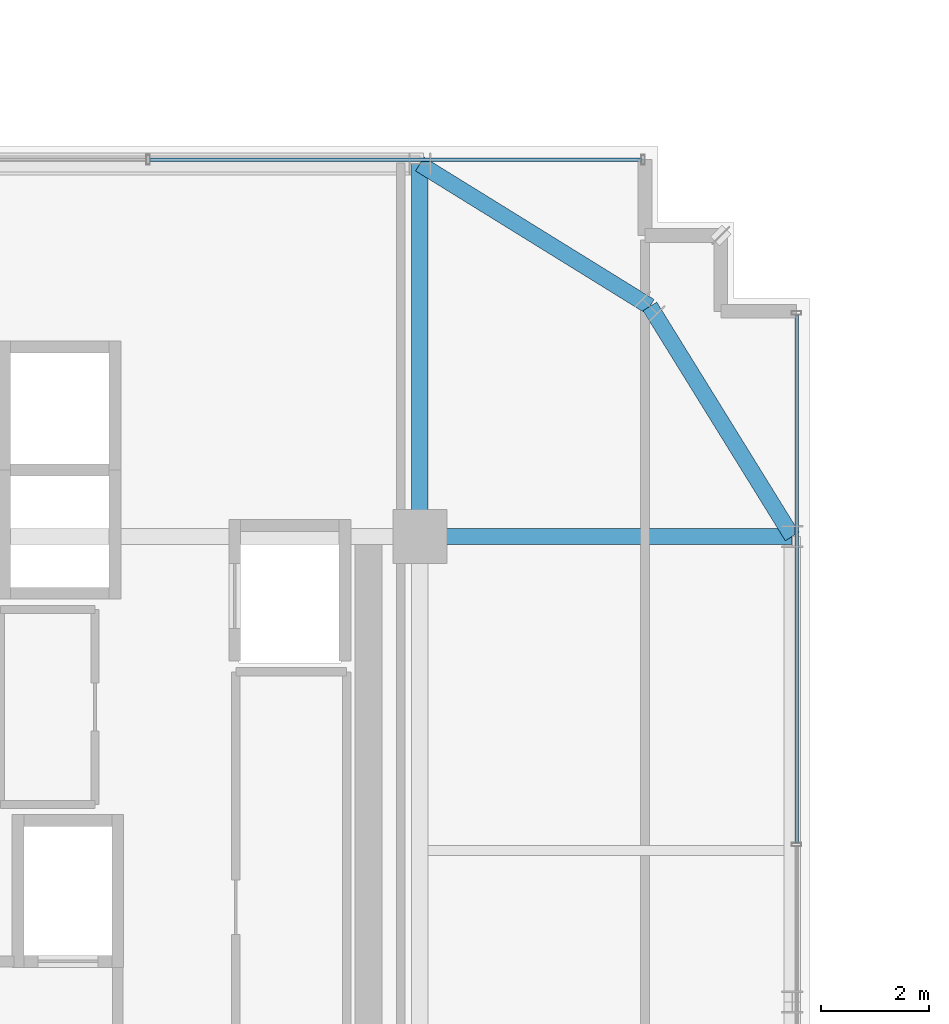
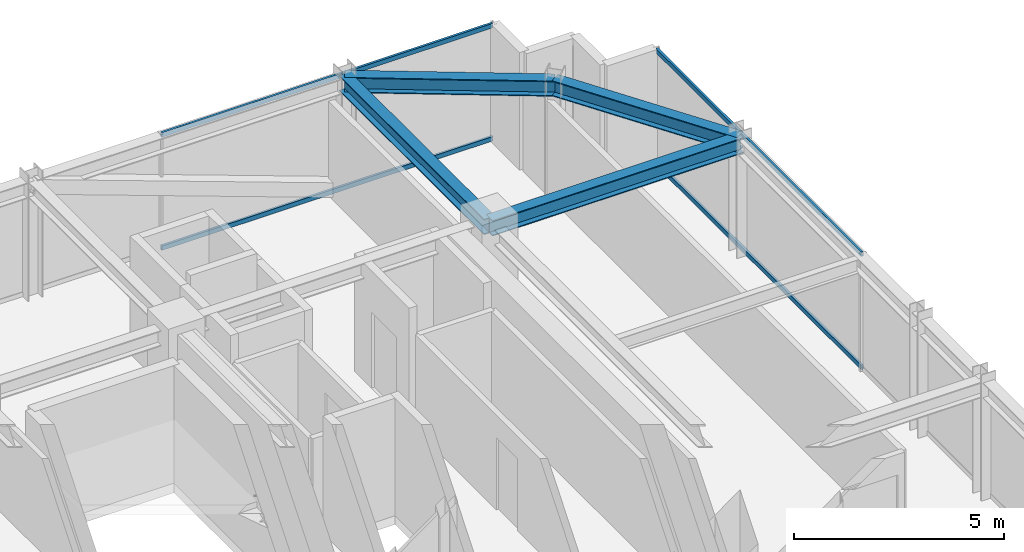
# One storey, part 27 of 42: 4 beams, 4 members, 2 elements without a shape of their own.
"""IFC4 building model written with IfcOpenShell, lengths in metres."""

from ifc_helpers import new_model, si_unit, direction, frame, origin, origin_2d, place, context, subcontext, project, spatial, hollow_rectangle, i_section, extrude, source, transform, mapped, material, material_profile, profile_set, type_object, element, aggregate, save


model = new_model("IFC4")

# Units and contexts
model_context = context("Model", 3, precision=1e-05, world=origin(), true_north=direction((0.0, 1.0)))
body_context = subcontext(model_context, "Body", "Model", "MODEL_VIEW")
ifc_project = project(units=[si_unit("LENGTHUNIT", "METRE"), si_unit("AREAUNIT", "SQUARE_METRE"), si_unit("VOLUMEUNIT", "CUBIC_METRE"), si_unit("PLANEANGLEUNIT", "RADIAN"), si_unit("MASSUNIT", "GRAM", prefix="KILO")], contexts=[model_context])

# Site, building, storey
site_placement = place(None, origin())
site = spatial("IfcSite", under=ifc_project, at=site_placement, CompositionType="ELEMENT")
building_placement = place(site_placement, origin())
building = spatial("IfcBuilding", under=site, at=building_placement, Name="Nahalor Promenade Grand Hotel", CompositionType="ELEMENT")
storey_placement = place(building_placement, frame((0.0, 0.0, 249.300048828125)))
storey = spatial("IfcBuildingStorey", under=building, at=storey_placement, Name="L64", CompositionType="ELEMENT", Elevation=249.300048828125)

# Beams
ifc_material_1 = material(Name="Steel S355JR", Category="steel")
ifc_material_profile_1 = material_profile(ifc_material_1, i_section(OverallWidth=0.3, OverallDepth=0.45, WebThickness=0.014, FlangeThickness=0.026, at=origin_2d()), Name="HEB 450")
ifc_profile_set_1 = profile_set([ifc_material_profile_1], Name="Steel S355JR")
beam_type_1 = type_object("IfcBeamType", Name="Beam-Spandrel-HEB450", PredefinedType="SPANDREL", material=ifc_profile_set_1)
shared_shape_1 = source(origin(), body_context, "Body", "SweptSolid", [
    extrude(i_section(OverallWidth=0.3, OverallDepth=0.45, WebThickness=0.014, FlangeThickness=0.026, at=origin_2d()), origin(), (0.0, 0.0, 1.0), 4.997802734375),
])
for number, where, z_axis, x_axis, name in (
    (1, (17.0, 23.8798828125, 3.18505859375), (0.850360908404, -0.526199891161, 0.0), (0.526199891161, 0.850360908404, 0.0), "BM-L64-SPC-NE-1"),
    (2, (21.25, 21.25, 3.18505859375), (0.526199891161, -0.850360908404, 0.0), (0.850360908404, 0.526199891161, 0.0), "BM-L64-SPC-NE-2"),
):
    element("IfcBeam", number, at=place(storey_placement, frame(where, z_axis=z_axis, x_axis=x_axis)), inside=storey, type_object=beam_type_1, Name=name, PredefinedType="SPANDREL", context=body_context, shape_type="MappedRepresentation", body=[
        mapped(shared_shape_1, transform((0.0, 0.0, 0.0), scale=1.0)),
    ])
ifc_material_profile_2 = material_profile(ifc_material_1, i_section(OverallWidth=0.3, OverallDepth=0.45, WebThickness=0.014, FlangeThickness=0.026, at=origin_2d()), Name="HEB 450")
ifc_profile_set_2 = profile_set([ifc_material_profile_2], Name="Steel S355JR")
beam_type_2 = type_object("IfcBeamType", Name="Beam-Girder-HEB450", PredefinedType="BEAM", material=ifc_profile_set_2)
shared_shape_2 = source(origin(), body_context, "Body", "SweptSolid", [
    extrude(i_section(OverallWidth=0.3, OverallDepth=0.45, WebThickness=0.014, FlangeThickness=0.026, at=origin_2d()), origin(), (0.0, 0.0, 1.0), 6.8798828125),
])
for number, where, z_axis, x_axis, name in (
    (3, (17.0, 17.0, 3.18505859375), (1.0, 0.0, 0.0), (0.0, 1.0, 0.0), "BM-L64-GX-3-6"),
    (4, (17.0, 17.0, 3.18505859375), (0.0, 1.0, 0.0), (-1.0, 0.0, 0.0), "BM-L64-GY-5-4"),
):
    element("IfcBeam", number, at=place(storey_placement, frame(where, z_axis=z_axis, x_axis=x_axis)), inside=storey, type_object=beam_type_2, Name=name, PredefinedType="BEAM", context=body_context, shape_type="MappedRepresentation", body=[
        mapped(shared_shape_2, transform((0.0, 0.0, 0.0), scale=1.0)),
    ])

# Curtain wall, members
ifc_material_2 = material(Name="Anodised Bronze Aluminium EN AW-6063 T6", Category="aluminium")
curtain_wall_type = type_object("IfcCurtainWallType", Name="CW2 Typical Hotel Flush Bronze Unitised Curtain Wall", PredefinedType="USERDEFINED", material=ifc_material_2)
curtain_wall_1_placement = place(storey_placement, origin())
curtain_wall_1 = element("IfcCurtainWall", 5, at=curtain_wall_1_placement, inside=storey, type_object=curtain_wall_type, Name="L64 Curtain Wall CW-L64-N-3", ObjectType="UNITISED_CURTAIN_WALL", PredefinedType="USERDEFINED")
ifc_material_profile_3 = material_profile(ifc_material_2, hollow_rectangle(XDim=0.065, YDim=0.13, WallThickness=0.004, at=origin_2d()), Name="CWT 65x130x4")
ifc_profile_set_3 = profile_set([ifc_material_profile_3], Name="Anodised Bronze Aluminium EN AW-6063 T6")
member_type = type_object("IfcMemberType", Name="CWT2 Typical Bronze Transom 65x130", PredefinedType="USERDEFINED", material=ifc_profile_set_3)
shared_shape_3 = source(origin(), body_context, "Body", "SweptSolid", [
    extrude(hollow_rectangle(XDim=0.065, YDim=0.13, WallThickness=0.004, at=origin_2d()), origin(), (0.0, 0.0, 1.0), 9.08251953125),
])
member_1_placement = place(storey_placement, frame((12.012451171875, 23.9599609375, 0.06494140625), z_axis=(1.0, 0.0, 0.0), x_axis=(0.0, 1.0, 0.0)))
member_1 = element("IfcMember", 6, at=member_1_placement, type_object=member_type, Name="CW-L64-N-3 Transom 1-0", ObjectType="TRANSOM", PredefinedType="USERDEFINED", context=body_context, shape_type="MappedRepresentation", body=[
    mapped(shared_shape_3, transform((0.0, 0.0, 0.0), scale=1.0)),
])
member_2_placement = place(storey_placement, frame((12.012451171875, 23.9599609375, 3.344970703125), z_axis=(1.0, 0.0, 0.0), x_axis=(0.0, 1.0, 0.0)))
member_2 = element("IfcMember", 7, at=member_2_placement, type_object=member_type, Name="CW-L64-N-3 Transom 1-1", ObjectType="TRANSOM", PredefinedType="USERDEFINED", context=body_context, shape_type="MappedRepresentation", body=[
    mapped(shared_shape_3, transform((0.0, 0.0, 0.0), scale=1.0)),
])
aggregate(curtain_wall_1, [member_1, member_2])

curtain_wall_2_placement = place(storey_placement, origin())
curtain_wall_2 = element("IfcCurtainWall", 8, at=curtain_wall_2_placement, inside=storey, type_object=curtain_wall_type, Name="L64 Curtain Wall CW-L64-E-3", ObjectType="UNITISED_CURTAIN_WALL", PredefinedType="USERDEFINED")
shared_shape_4 = source(origin(), body_context, "Body", "SweptSolid", [
    extrude(hollow_rectangle(XDim=0.065, YDim=0.13, WallThickness=0.004, at=origin_2d()), origin(), (0.0, 0.0, 1.0), 9.755859375),
])
member_3_placement = place(storey_placement, frame((23.9599609375, 11.339111328125, 0.06494140625), z_axis=(0.0, 1.0, 0.0), x_axis=(-1.0, 0.0, 0.0)))
member_3 = element("IfcMember", 9, at=member_3_placement, type_object=member_type, Name="CW-L64-E-3 Transom 2-0", ObjectType="TRANSOM", PredefinedType="USERDEFINED", context=body_context, shape_type="MappedRepresentation", body=[
    mapped(shared_shape_4, transform((0.0, 0.0, 0.0), scale=1.0)),
])
member_4_placement = place(storey_placement, frame((23.9599609375, 11.339111328125, 3.344970703125), z_axis=(0.0, 1.0, 0.0), x_axis=(-1.0, 0.0, 0.0)))
member_4 = element("IfcMember", 10, at=member_4_placement, type_object=member_type, Name="CW-L64-E-3 Transom 2-1", ObjectType="TRANSOM", PredefinedType="USERDEFINED", context=body_context, shape_type="MappedRepresentation", body=[
    mapped(shared_shape_4, transform((0.0, 0.0, 0.0), scale=1.0)),
])
aggregate(curtain_wall_2, [member_3, member_4])

save(model, "model.ifc")
